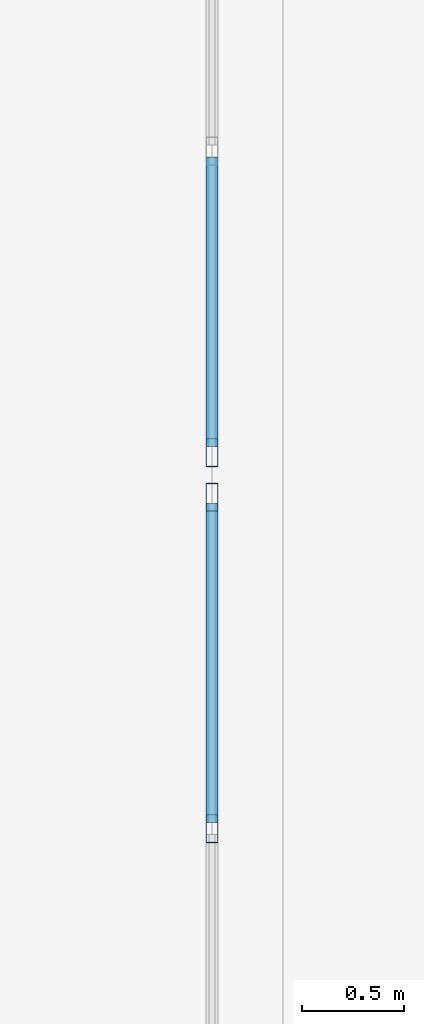
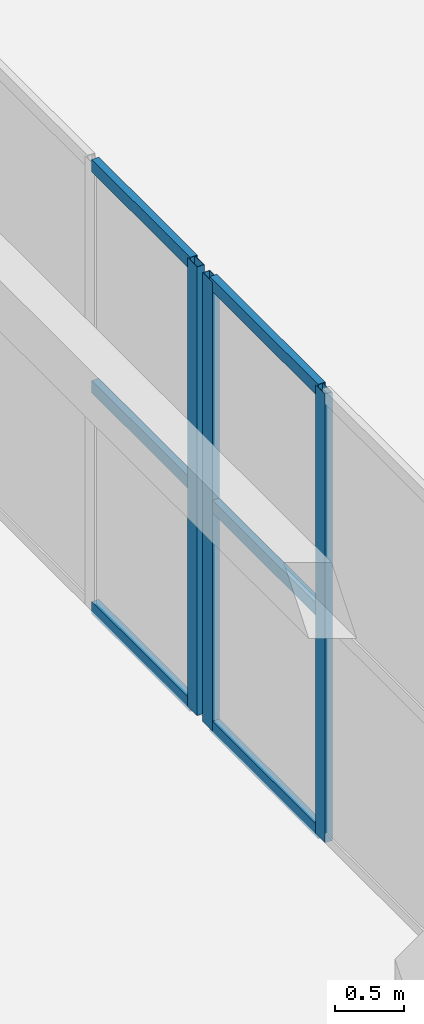
# One storey, part 30 of 90: 9 members, 2 elements without a shape of their own.
"""IFC4 building model written with IfcOpenShell, lengths in metres."""

from ifc_helpers import new_model, si_unit, direction, frame, origin, origin_2d, place, context, subcontext, project, spatial, hollow_rectangle, extrude, material, layer, layer_set, material_profile, profile_set, type_object, element, aggregate, save


model = new_model("IFC4")

# Units and contexts
model_context = context("Model", 3, precision=1e-05, world=origin(), true_north=direction((0.0, 1.0)))
body_context = subcontext(model_context, "Body", "Model", "MODEL_VIEW")
ifc_project = project(units=[si_unit("LENGTHUNIT", "METRE"), si_unit("AREAUNIT", "SQUARE_METRE"), si_unit("VOLUMEUNIT", "CUBIC_METRE"), si_unit("PLANEANGLEUNIT", "RADIAN"), si_unit("MASSUNIT", "GRAM", prefix="KILO")], contexts=[model_context])

# Site, building, storey
site_placement = place(None, origin())
site = spatial("IfcSite", under=ifc_project, at=site_placement, CompositionType="ELEMENT")
building_placement = place(site_placement, origin())
building = spatial("IfcBuilding", under=site, at=building_placement, Name="Trelvath General Hospital", CompositionType="ELEMENT")
storey_placement = place(building_placement, frame((0.0, 0.0, 20.39990234375)))
storey = spatial("IfcBuildingStorey", under=building, at=storey_placement, Name="L05", CompositionType="ELEMENT", Elevation=20.39990234375)

# Curtain wall, members
ifc_material_1 = material(Name="Anodised aluminium and low-E glass", Category="aluminium")
ifc_layer_1 = layer(ifc_material_1, 0.14990234375)
ifc_layer_set_1 = layer_set([ifc_layer_1], Name="Anodised aluminium and low-E glass")
curtain_wall_type_1 = type_object("IfcCurtainWallType", Name="CW CrystalCube 664 396 15", PredefinedType="USERDEFINED", material=ifc_layer_set_1)
curtain_wall_1_placement = place(storey_placement, origin())
curtain_wall_1 = element("IfcCurtainWall", 1, at=curtain_wall_1_placement, inside=storey, type_object=curtain_wall_type_1, Name="Crystal Cube Curtain Wall CUBE-E-T2 E1 L05", ObjectType="Unitised Glazed Curtain Wall", PredefinedType="USERDEFINED")
ifc_material_2 = material(Name="Anodised aluminium", Category="aluminium")
ifc_material_profile_1 = material_profile(ifc_material_2, hollow_rectangle(XDim=0.06005859375, YDim=0.139892578125, WallThickness=0.00390625, at=origin_2d()), Name="RHS60x140x4")
ifc_profile_set_1 = profile_set([ifc_material_profile_1], Name="Anodised aluminium")
member_type_1 = type_object("IfcMemberType", Name="CurtainMullion 60x140", PredefinedType="MULLION", material=ifc_profile_set_1)
member_1_placement = place(storey_placement, frame((108.39990234375, 50.2900390625, 0.0), z_axis=(0.0, 0.0, 1.0), x_axis=(1.0, 0.0, 0.0)))
member_1 = element("IfcMember", 2, at=member_1_placement, type_object=member_type_1, Name="CW-319 mullion 1", PredefinedType="MULLION", context=body_context, shape_type="SweptSolid", body=[
    extrude(hollow_rectangle(XDim=0.06005859375, YDim=0.139892578125, WallThickness=0.00390625, at=origin_2d()), origin(), (0.0, 0.0, 1.0), 3.960205078125),
])
member_2_placement = place(storey_placement, frame((108.39990234375, 48.659912109375, 0.0), z_axis=(0.0, 0.0, 1.0), x_axis=(1.0, 0.0, 0.0)))
member_2 = element("IfcMember", 3, at=member_2_placement, type_object=member_type_1, Name="CW-319 mullion 2", PredefinedType="MULLION", context=body_context, shape_type="SweptSolid", body=[
    extrude(hollow_rectangle(XDim=0.06005859375, YDim=0.139892578125, WallThickness=0.00390625, at=origin_2d()), origin(), (0.0, 0.0, 1.0), 3.960205078125),
])

# Curtain wall, member
ifc_material_3 = material(Name="Anodised aluminium and low-E glass", Category="aluminium")
ifc_layer_2 = layer(ifc_material_3, 0.14990234375)
ifc_layer_set_2 = layer_set([ifc_layer_2], Name="Anodised aluminium and low-E glass")
curtain_wall_type_2 = type_object("IfcCurtainWallType", Name="CW CrystalCube 454 396 15", PredefinedType="USERDEFINED", material=ifc_layer_set_2)
curtain_wall_2_placement = place(storey_placement, origin())
curtain_wall_2 = element("IfcCurtainWall", 4, at=curtain_wall_2_placement, inside=storey, type_object=curtain_wall_type_2, Name="Crystal Cube Curtain Wall CUBE-E-T2 E2 L05", ObjectType="Unitised Glazed Curtain Wall", PredefinedType="USERDEFINED")
member_3_placement = place(storey_placement, frame((108.39990234375, 50.510009765625, 0.0), z_axis=(0.0, 0.0, 1.0), x_axis=(1.0, 0.0, 0.0)))
member_3 = element("IfcMember", 5, at=member_3_placement, type_object=member_type_1, Name="CW-320 mullion 4", PredefinedType="MULLION", context=body_context, shape_type="SweptSolid", body=[
    extrude(hollow_rectangle(XDim=0.06005859375, YDim=0.139892578125, WallThickness=0.00390625, at=origin_2d()), origin(), (0.0, 0.0, 1.0), 3.960205078125),
])

# Member
ifc_material_4 = material(Name="Anodised aluminium", Category="aluminium")
ifc_material_profile_2 = material_profile(ifc_material_4, hollow_rectangle(XDim=0.06005859375, YDim=0.110107421875, WallThickness=0.00390625, at=origin_2d()), Name="RHS60x110x4")
ifc_profile_set_2 = profile_set([ifc_material_profile_2], Name="Anodised aluminium")
member_type_2 = type_object("IfcMemberType", Name="CurtainTransom 60x110", PredefinedType="USERDEFINED", material=ifc_profile_set_2)
member_4_placement = place(storey_placement, frame((108.39990234375, 50.260009765625, 0.030029296875), z_axis=(0.0, -1.0, 0.0), x_axis=(1.0, 0.0, 0.0)))
member_4 = element("IfcMember", 6, at=member_4_placement, type_object=member_type_2, Name="CW-319 transom 1.1", ObjectType="TRANSOM", PredefinedType="USERDEFINED", context=body_context, shape_type="SweptSolid", body=[
    extrude(hollow_rectangle(XDim=0.06005859375, YDim=0.110107421875, WallThickness=0.00390625, at=origin_2d()), origin(), (0.0, 0.0, 1.0), 1.570068359375),
])

member_5_placement = place(storey_placement, frame((108.39990234375, 50.260009765625, 1.97998046875), z_axis=(0.0, -1.0, 0.0), x_axis=(1.0, 0.0, 0.0)))
member_5 = element("IfcMember", 7, at=member_5_placement, type_object=member_type_2, Name="CW-319 transom 1.2", ObjectType="TRANSOM", PredefinedType="USERDEFINED", context=body_context, shape_type="SweptSolid", body=[
    extrude(hollow_rectangle(XDim=0.06005859375, YDim=0.110107421875, WallThickness=0.00390625, at=origin_2d()), origin(), (0.0, 0.0, 1.0), 1.570068359375),
])

member_6_placement = place(storey_placement, frame((108.39990234375, 50.260009765625, 3.93017578125), z_axis=(0.0, -1.0, 0.0), x_axis=(1.0, 0.0, 0.0)))
member_6 = element("IfcMember", 8, at=member_6_placement, type_object=member_type_2, Name="CW-319 transom 1.3", ObjectType="TRANSOM", PredefinedType="USERDEFINED", context=body_context, shape_type="SweptSolid", body=[
    extrude(hollow_rectangle(XDim=0.06005859375, YDim=0.110107421875, WallThickness=0.00390625, at=origin_2d()), origin(), (0.0, 0.0, 1.0), 1.570068359375),
])

aggregate(curtain_wall_1, [member_1, member_2, member_4, member_5, member_6])

member_7_placement = place(storey_placement, frame((108.39990234375, 51.96337890625, 0.030029296875), z_axis=(0.0, -1.0, 0.0), x_axis=(1.0, 0.0, 0.0)))
member_7 = element("IfcMember", 9, at=member_7_placement, type_object=member_type_2, Name="CW-320 transom 3.1", ObjectType="TRANSOM", PredefinedType="USERDEFINED", context=body_context, shape_type="SweptSolid", body=[
    extrude(hollow_rectangle(XDim=0.06005859375, YDim=0.110107421875, WallThickness=0.00390625, at=origin_2d()), origin(), (0.0, 0.0, 1.0), 1.42333984375),
])

member_8_placement = place(storey_placement, frame((108.39990234375, 51.96337890625, 1.97998046875), z_axis=(0.0, -1.0, 0.0), x_axis=(1.0, 0.0, 0.0)))
member_8 = element("IfcMember", 10, at=member_8_placement, type_object=member_type_2, Name="CW-320 transom 3.2", ObjectType="TRANSOM", PredefinedType="USERDEFINED", context=body_context, shape_type="SweptSolid", body=[
    extrude(hollow_rectangle(XDim=0.06005859375, YDim=0.110107421875, WallThickness=0.00390625, at=origin_2d()), origin(), (0.0, 0.0, 1.0), 1.42333984375),
])

member_9_placement = place(storey_placement, frame((108.39990234375, 51.96337890625, 3.93017578125), z_axis=(0.0, -1.0, 0.0), x_axis=(1.0, 0.0, 0.0)))
member_9 = element("IfcMember", 11, at=member_9_placement, type_object=member_type_2, Name="CW-320 transom 3.3", ObjectType="TRANSOM", PredefinedType="USERDEFINED", context=body_context, shape_type="SweptSolid", body=[
    extrude(hollow_rectangle(XDim=0.06005859375, YDim=0.110107421875, WallThickness=0.00390625, at=origin_2d()), origin(), (0.0, 0.0, 1.0), 1.42333984375),
])

aggregate(curtain_wall_2, [member_3, member_7, member_8, member_9])

save(model, "model.ifc")
